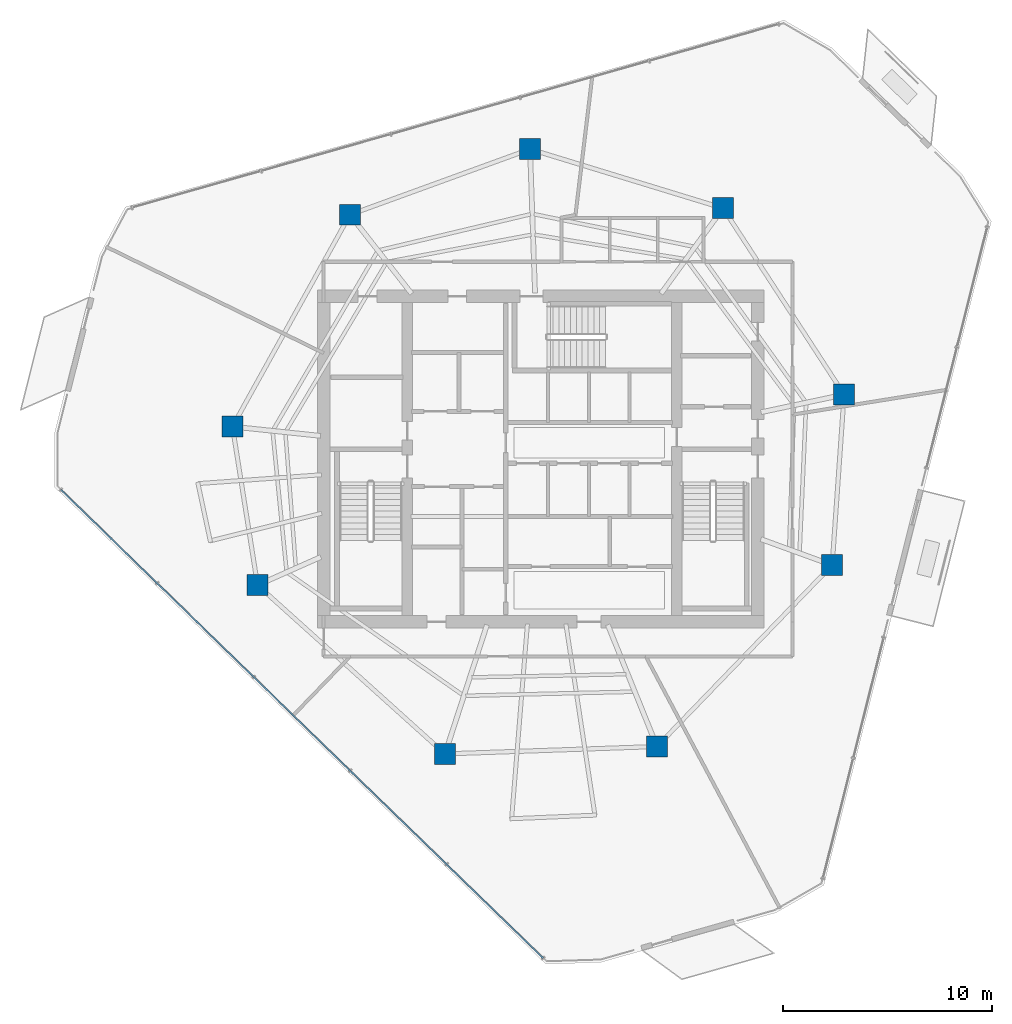
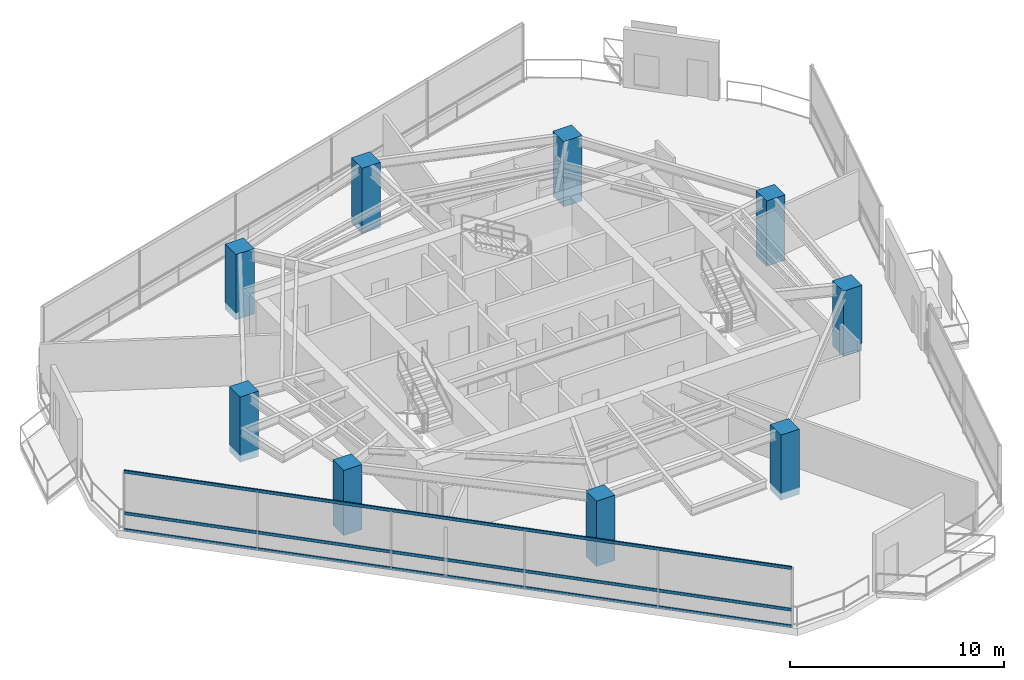
# One storey, part 1 of 19: 9 columns, 3 members, 1 element without a shape of its own.
"""IFC4 building model written with IfcOpenShell, lengths in metres."""

from ifc_helpers import new_model, si_unit, direction, frame, origin, origin_2d, place, context, subcontext, project, spatial, rectangle, hollow_rectangle, extrude, material, layer, layer_set, material_profile, profile_set, type_object, element, aggregate, save


model = new_model("IFC4")

# Units and contexts
model_context = context("Model", 3, precision=1e-05, world=origin(), true_north=direction((0.0, 1.0)))
body_context = subcontext(model_context, "Body", "Model", "MODEL_VIEW")
ifc_project = project(units=[si_unit("LENGTHUNIT", "METRE"), si_unit("AREAUNIT", "SQUARE_METRE"), si_unit("VOLUMEUNIT", "CUBIC_METRE"), si_unit("PLANEANGLEUNIT", "RADIAN"), si_unit("MASSUNIT", "GRAM", prefix="KILO")], contexts=[model_context])

# Site, building, storey
site_placement = place(None, origin())
site = spatial("IfcSite", under=ifc_project, at=site_placement, CompositionType="ELEMENT")
building_placement = place(site_placement, origin())
building = spatial("IfcBuilding", under=site, at=building_placement, Name="Qarnah Convention Tower", CompositionType="ELEMENT")
storey_placement = place(building_placement, frame((0.0, 0.0, 125.699951171875)))
storey = spatial("IfcBuildingStorey", under=building, at=storey_placement, Name="L33", CompositionType="ELEMENT", Elevation=125.699951171875)

# Columns
ifc_material_1 = material(Name="Concrete C60/75", Category="concrete")
ifc_material_profile_1 = material_profile(ifc_material_1, rectangle(XDim=1.0, YDim=1.0, at=origin_2d()), Name="RC-COL-1000X1000")
ifc_profile_set_1 = profile_set([ifc_material_profile_1], Name="Concrete C60/75")
column_type = type_object("IfcColumnType", Name="COL-Z3-1000", PredefinedType="COLUMN", material=ifc_profile_set_1)
for number, where, z_axis, x_axis, name in (
    (1, (51.72509765625, 29.487060546875, -0.405029296875), (0.0, 0.0, 1.0), (1.0, 0.0, 0.0), "L33 plumb column PC-Z3-01"),
    (2, (45.928955078125, 38.4140625, -0.405029296875), (0.0, 0.0, 1.0), (1.0, 0.0, 0.0), "L33 plumb column PC-Z3-02"),
    (3, (36.681884765625, 41.240966796875, -0.405029296875), (0.0, 0.0, 1.0), (1.0, 0.0, 0.0), "L33 plumb column PC-Z3-03"),
    (4, (28.056884765625, 38.10205078125, -0.405029296875), (0.0, 0.0, 1.0), (1.0, 0.0, 0.0), "L33 plumb column PC-Z3-04"),
    (5, (22.430908203125, 27.951904296875, -0.405029296875), (0.0, 0.0, 1.0), (1.0, 0.0, 0.0), "L33 plumb column PC-Z3-05"),
    (6, (23.634033203125, 20.360107421875, -0.405029296875), (0.0, 0.0, 1.0), (1.0, 0.0, 0.0), "L33 plumb column PC-Z3-06"),
    (7, (32.611083984375, 12.277099609375, -0.405029296875), (0.0, 0.0, 1.0), (1.0, 0.0, 0.0), "L33 plumb column PC-Z3-07"),
    (8, (42.762939453125, 12.631103515625, -0.405029296875), (0.0, 0.0, 1.0), (1.0, 0.0, 0.0), "L33 plumb column PC-Z3-08"),
    (9, (51.154052734375, 21.321044921875, -0.405029296875), (0.0, 0.0, 1.0), (1.0, 0.0, 0.0), "L33 plumb column PC-Z3-09"),
):
    element("IfcColumn", number, at=place(storey_placement, frame(where, z_axis=z_axis, x_axis=x_axis)), inside=storey, type_object=column_type, Name=name, PredefinedType="COLUMN", context=body_context, shape_type="SweptSolid", body=[
        extrude(rectangle(XDim=1.0, YDim=1.0, at=origin_2d()), origin(), (0.0, 0.0, 1.0), 3.72509765625),
    ])

# Curtain wall, members
ifc_material_2 = material(Name="Tempered Low-E dark glass", Category="glass")
ifc_layer = layer(ifc_material_2, 0.172119140625)
ifc_layer_set = layer_set([ifc_layer], Name="Tempered Low-E dark glass")
curtain_wall_type = type_object("IfcCurtainWallType", Name="CWS-03", PredefinedType="NOTDEFINED", material=ifc_layer_set)
curtain_wall_placement = place(storey_placement, origin())
curtain_wall = element("IfcCurtainWall", 10, at=curtain_wall_placement, inside=storey, type_object=curtain_wall_type, Name="L33 unitised curtain wall CW-L33-F1", PredefinedType="NOTDEFINED")
ifc_material_3 = material(Name="Black anodised aluminium", Category="aluminium")
ifc_material_profile_2 = material_profile(ifc_material_3, hollow_rectangle(XDim=0.070068359375, YDim=0.169921875, WallThickness=0.0048828125, at=origin_2d()), Name="TRN-70X170")
ifc_profile_set_2 = profile_set([ifc_material_profile_2], Name="Black anodised aluminium")
member_type = type_object("IfcMemberType", Name="TRN-T3", PredefinedType="USERDEFINED", material=ifc_profile_set_2)
member_1_placement = place(storey_placement, frame((37.305908203125, 2.5009765625, 0.0), z_axis=(-0.717389716984, 0.696672084963, 0.0), x_axis=(-0.696672084963, -0.717389716984, 0.0)))
member_1 = element("IfcMember", 11, at=member_1_placement, type_object=member_type, Name="CW-L33-F1 transom 1", ObjectType="TRANSOM", PredefinedType="USERDEFINED", context=body_context, shape_type="SweptSolid", body=[
    extrude(hollow_rectangle(XDim=0.070068359375, YDim=0.169921875, WallThickness=0.0048828125, at=origin_2d()), origin(), (0.0, 0.0, 1.0), 32.1943359375),
])
member_2_placement = place(storey_placement, frame((37.305908203125, 2.5009765625, 0.949951171875), z_axis=(-0.717389716984, 0.696672084963, 0.0), x_axis=(-0.696672084963, -0.717389716984, 0.0)))
member_2 = element("IfcMember", 12, at=member_2_placement, type_object=member_type, Name="CW-L33-F1 transom 2", ObjectType="TRANSOM", PredefinedType="USERDEFINED", context=body_context, shape_type="SweptSolid", body=[
    extrude(hollow_rectangle(XDim=0.070068359375, YDim=0.169921875, WallThickness=0.0048828125, at=origin_2d()), origin(), (0.0, 0.0, 1.0), 32.1943359375),
])
member_3_placement = place(storey_placement, frame((37.305908203125, 2.5009765625, 3.320068359375), z_axis=(-0.717389716984, 0.696672084963, 0.0), x_axis=(-0.696672084963, -0.717389716984, 0.0)))
member_3 = element("IfcMember", 13, at=member_3_placement, type_object=member_type, Name="CW-L33-F1 transom 3", ObjectType="TRANSOM", PredefinedType="USERDEFINED", context=body_context, shape_type="SweptSolid", body=[
    extrude(hollow_rectangle(XDim=0.070068359375, YDim=0.169921875, WallThickness=0.0048828125, at=origin_2d()), origin(), (0.0, 0.0, 1.0), 32.1943359375),
])
aggregate(curtain_wall, [member_1, member_2, member_3])

save(model, "model.ifc")
